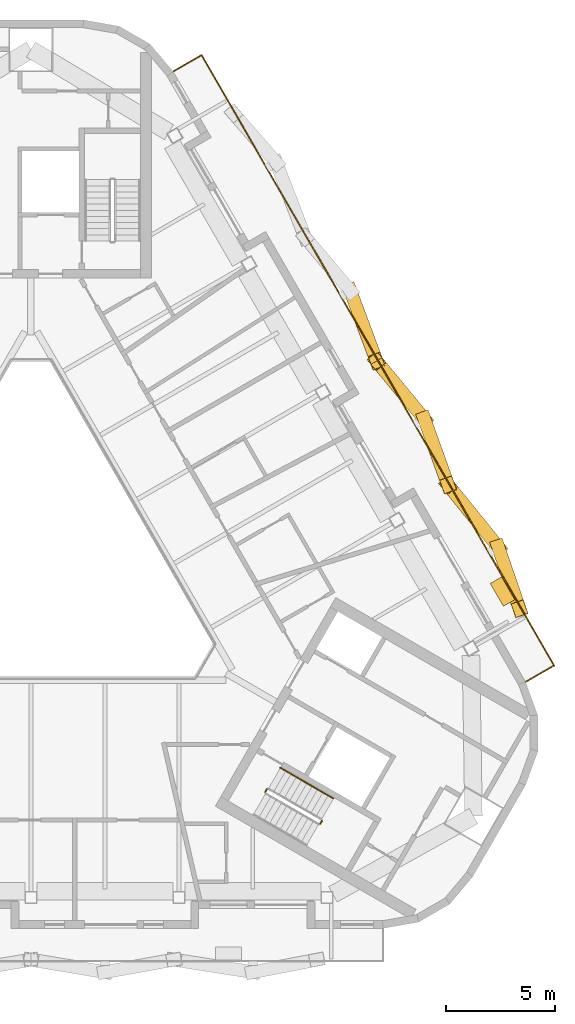
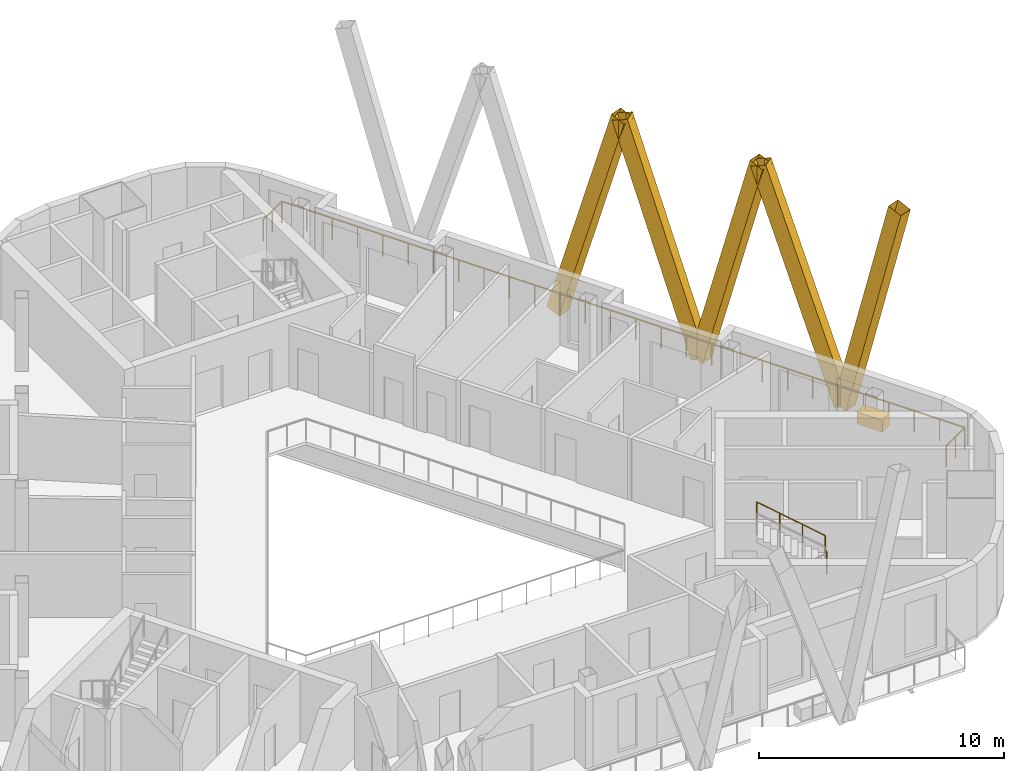
# One storey, part 11 of 12: 5 shading devices, 4 railings, 1 covering.
"""IFC4 building model written with IfcOpenShell, lengths in metres."""

from ifc_helpers import new_model, si_unit, direction, frame, origin, origin_2d, place, context, subcontext, project, spatial, rectangle, hollow_rectangle, circle, extrude, material, material_profile, profile_set, type_object, element, save


model = new_model("IFC4")

# Units and contexts
model_context = context("Model", 3, precision=1e-05, world=origin(), true_north=direction((0.0, 1.0)))
body_context = subcontext(model_context, "Body", "Model", "MODEL_VIEW")
ifc_project = project(units=[si_unit("LENGTHUNIT", "METRE"), si_unit("AREAUNIT", "SQUARE_METRE"), si_unit("VOLUMEUNIT", "CUBIC_METRE"), si_unit("PLANEANGLEUNIT", "RADIAN"), si_unit("MASSUNIT", "GRAM", prefix="KILO")], contexts=[model_context])

# Site, building, storey
site_placement = place(None, origin())
site = spatial("IfcSite", under=ifc_project, at=site_placement, CompositionType="ELEMENT")
building_placement = place(site_placement, origin())
building = spatial("IfcBuilding", under=site, at=building_placement, Name="Apuvela Tower Hotel", CompositionType="ELEMENT")
storey_placement = place(building_placement, frame((0.0, 0.0, 302.199951171875)))
storey = spatial("IfcBuildingStorey", under=building, at=storey_placement, Name="L75", CompositionType="ELEMENT", Elevation=302.199951171875)

# Railings
ifc_material_1 = material(Name="Steel S275 balustrade", Category="steel")
railing_type_1 = type_object("IfcRailingType", Name="COR-GUARD-1100", PredefinedType="GUARDRAIL", material=ifc_material_1)
for number, where, name in (
    (1, (13.212158203125, -12.015869140625, 1.85009765625), "L75 ST3 stair guard 2"),
    (2, (10.70068359375, -10.56591796875, 0.0), "L75 ST3 stair guard 4"),
):
    element("IfcRailing", number, at=place(storey_placement, frame(where)), inside=storey, type_object=railing_type_1, Name=name, PredefinedType="GUARDRAIL", context=body_context, shape_type="SweptSolid", body=[
        extrude(rectangle(XDim=0.048095703125, YDim=0.048095703125, at=origin_2d()), frame((0.0, 0.0, 1.076171875), z_axis=(0.499816412211, 0.866131372301, 0.0), x_axis=(-0.866131372301, 0.499816412211, 0.0)), (0.0, 0.0, 1.0), 0.14990234375),
        extrude(rectangle(XDim=0.0419921875, YDim=0.0419921875, at=origin_2d()), origin(), (0.0, 0.0, 1.0), 1.052001953125),
        extrude(rectangle(XDim=0.0419921875, YDim=0.0419921875, at=origin_2d()), frame((0.074951171875, 0.1298828125, 0.0)), (0.0, 0.0, 1.0), 1.052001953125),
    ])
ifc_material_2 = material(Name="Stainless steel 316 handrail", Category="steel")
railing_type_2 = type_object("IfcRailingType", Name="COR-HANDRAIL-900", PredefinedType="HANDRAIL", material=ifc_material_2)
railing_1_placement = place(storey_placement, frame((13.81884765625, -10.864990234375, 2.018310546875)))
element("IfcRailing", 3, at=railing_1_placement, inside=storey, type_object=railing_type_2, Name="L75 ST3 stair handrail 2", PredefinedType="HANDRAIL", context=body_context, shape_type="SweptSolid", body=[
    extrude(circle(Radius=0.02392578125, at=origin_2d()), frame((0.0, 0.0, 0.8759765625), z_axis=(-0.74241905619, 0.428617687091, 0.514879426), x_axis=(-0.49998411664, -0.866034573852, 0.0)), (0.0, 0.0, 1.0), 3.26611328125),
    extrude(rectangle(XDim=0.0419921875, YDim=0.0419921875, at=origin_2d()), origin(), (0.0, 0.0, 1.0), 0.851806640625),
    extrude(rectangle(XDim=0.0419921875, YDim=0.0419921875, at=origin_2d()), frame((-0.808349609375, 0.466552734375, 0.560546875)), (0.0, 0.0, 1.0), 0.851806640625),
    extrude(rectangle(XDim=0.0419921875, YDim=0.0419921875, at=origin_2d()), frame((-1.616455078125, 0.933349609375, 1.12109375)), (0.0, 0.0, 1.0), 0.851806640625),
    extrude(rectangle(XDim=0.0419921875, YDim=0.0419921875, at=origin_2d()), frame((-2.4248046875, 1.39990234375, 1.681640625)), (0.0, 0.0, 1.0), 0.851806640625),
])

# Shading devices
ifc_material_3 = material(Name="Aluminium 6063-T6, black anodised", Category="aluminium")
ifc_material_profile = material_profile(ifc_material_3, hollow_rectangle(XDim=0.60009765625, YDim=0.699951171875, WallThickness=0.011962890625, at=origin_2d()), Name="AL BOX 700x600x12")
ifc_profile_set = profile_set([ifc_material_profile], Name="Aluminium 6063-T6, black anodised")
shading_device_type = type_object("IfcShadingDeviceType", Name="ENV-FIN-700x600", PredefinedType="USERDEFINED", material=ifc_profile_set)
shading_device_1_placement = place(storey_placement, frame((21.345703125, 0.6171875, -0.099853515625), z_axis=(0.084444446708, -0.244942005167, 0.965853275361), x_axis=(0.945394763347, 0.32592750948, 0.0)))
element("IfcShadingDevice", 4, at=shading_device_1_placement, inside=storey, type_object=shading_device_type, Name="Lattice fin NE665", ObjectType="FIN", PredefinedType="USERDEFINED", context=body_context, shape_type="SweptSolid", body=[
    extrude(hollow_rectangle(XDim=0.60009765625, YDim=0.699951171875, WallThickness=0.011962890625, at=origin_2d()), origin(), (0.0, 0.0, 1.0), 11.4921875),
])
shading_device_2_placement = place(storey_placement, frame((21.345703125, 0.6171875, -0.099853515625), z_axis=(-0.196395762307, 0.243112881936, 0.949907801413), x_axis=(-0.777885876447, -0.628405572242, 0.0)))
element("IfcShadingDevice", 5, at=shading_device_2_placement, inside=storey, type_object=shading_device_type, Name="Lattice fin NE666", ObjectType="FIN", PredefinedType="USERDEFINED", context=body_context, shape_type="SweptSolid", body=[
    extrude(hollow_rectangle(XDim=0.60009765625, YDim=0.699951171875, WallThickness=0.011962890625, at=origin_2d()), origin(), (0.0, 0.0, 1.0), 11.685302734375),
])
shading_device_3_placement = place(storey_placement, frame((17.96630859375, 6.470703125, -0.099853515625), z_axis=(0.09387380237, -0.260784043505, 0.960822247808), x_axis=(0.940897131448, 0.338692468225, 0.0)))
element("IfcShadingDevice", 6, at=shading_device_3_placement, inside=storey, type_object=shading_device_type, Name="Lattice fin NE667", ObjectType="FIN", PredefinedType="USERDEFINED", context=body_context, shape_type="SweptSolid", body=[
    extrude(hollow_rectangle(XDim=0.60009765625, YDim=0.699951171875, WallThickness=0.011962890625, at=origin_2d()), origin(), (0.0, 0.0, 1.0), 11.552490234375),
])
for number, where, z_axis, x_axis, name in (
    (7, (17.96630859375, 6.470703125, -0.099853515625), (-0.187738220747, 0.227521994606, 0.955504109066), (-0.771319065559, -0.636448661799, 0.0), "Lattice fin NE668"),
    (8, (14.5869140625, 12.323974609375, -0.099853515625), (0.103168947098, -0.276343142267, 0.955505434875), (0.936840580907, 0.349756666794, 0.0), "Lattice fin NE669"),
):
    element("IfcShadingDevice", number, at=place(storey_placement, frame(where, z_axis=z_axis, x_axis=x_axis)), inside=storey, type_object=shading_device_type, Name=name, ObjectType="FIN", PredefinedType="USERDEFINED", context=body_context, shape_type="SweptSolid", body=[
        extrude(hollow_rectangle(XDim=0.60009765625, YDim=0.699951171875, WallThickness=0.011962890625, at=origin_2d()), origin(), (0.0, 0.0, 1.0), 11.61669921875),
    ])

# Railing
ifc_material_4 = material(Name="Stainless steel 316 rail with laminated glass infill", Category="steel")
railing_type_3 = type_object("IfcRailingType", Name="ENV-GUARD-1100", PredefinedType="GUARDRAIL", material=ifc_material_4)
railing_2_placement = place(storey_placement, frame((22.593505859375, -5.5439453125, 0.0)))
element("IfcRailing", 9, at=railing_2_placement, inside=storey, type_object=railing_type_3, Name="Balcony guard NE L75", PredefinedType="GUARDRAIL", context=body_context, shape_type="SweptSolid", body=[
    extrude(rectangle(XDim=0.050048828125, YDim=0.050048828125, at=origin_2d()), frame((0.0, 0.0, 1.0751953125), z_axis=(0.866031096941, 0.499990139034, 0.0), x_axis=(-0.499990139034, 0.866031096941, 0.0)), (0.0, 0.0, 1.0), 1.5),
    extrude(rectangle(XDim=0.050048828125, YDim=0.050048828125, at=origin_2d()), frame((1.299072265625, 0.75, 1.0751953125), z_axis=(-0.500003172353, 0.866023572218, 0.0), x_axis=(-0.866023572218, -0.500003172353, 0.0)), (0.0, 0.0, 1.0), 32.196044921875),
    extrude(rectangle(XDim=0.050048828125, YDim=0.050048828125, at=origin_2d()), frame((-14.799072265625, 28.632568359375, 1.0751953125), z_axis=(-0.86599040064, -0.500060622324, 0.0), x_axis=(0.500060622324, -0.86599040064, 0.0)), (0.0, 0.0, 1.0), 1.499755859375),
    extrude(rectangle(XDim=0.0400390625, YDim=0.0400390625, at=origin_2d()), origin(), (0.0, 0.0, 1.0), 1.050048828125),
    extrude(rectangle(XDim=0.0400390625, YDim=0.0400390625, at=origin_2d()), frame((0.6494140625, 0.375, 0.0)), (0.0, 0.0, 1.0), 1.050048828125),
    extrude(rectangle(XDim=0.0400390625, YDim=0.0400390625, at=origin_2d()), frame((1.299072265625, 0.75, 0.0)), (0.0, 0.0, 1.0), 1.050048828125),
    extrude(rectangle(XDim=0.0400390625, YDim=0.0400390625, at=origin_2d()), frame((0.702880859375, 1.78271484375, 0.0)), (0.0, 0.0, 1.0), 1.050048828125),
    extrude(rectangle(XDim=0.0400390625, YDim=0.0400390625, at=origin_2d()), frame((0.106689453125, 2.8154296875, 0.0)), (0.0, 0.0, 1.0), 1.050048828125),
    extrude(rectangle(XDim=0.0400390625, YDim=0.0400390625, at=origin_2d()), frame((-0.489501953125, 3.84814453125, 0.0)), (0.0, 0.0, 1.0), 1.050048828125),
    extrude(rectangle(XDim=0.0400390625, YDim=0.0400390625, at=origin_2d()), frame((-1.0859375, 4.880859375, 0.0)), (0.0, 0.0, 1.0), 1.050048828125),
    extrude(rectangle(XDim=0.0400390625, YDim=0.0400390625, at=origin_2d()), frame((-1.68212890625, 5.913330078125, 0.0)), (0.0, 0.0, 1.0), 1.050048828125),
    extrude(rectangle(XDim=0.0400390625, YDim=0.0400390625, at=origin_2d()), frame((-2.2783203125, 6.946044921875, 0.0)), (0.0, 0.0, 1.0), 1.050048828125),
    extrude(rectangle(XDim=0.0400390625, YDim=0.0400390625, at=origin_2d()), frame((-2.87451171875, 7.978759765625, 0.0)), (0.0, 0.0, 1.0), 1.050048828125),
    extrude(rectangle(XDim=0.0400390625, YDim=0.0400390625, at=origin_2d()), frame((-3.470703125, 9.011474609375, 0.0)), (0.0, 0.0, 1.0), 1.050048828125),
    extrude(rectangle(XDim=0.0400390625, YDim=0.0400390625, at=origin_2d()), frame((-4.06689453125, 10.044189453125, 0.0)), (0.0, 0.0, 1.0), 1.050048828125),
    extrude(rectangle(XDim=0.0400390625, YDim=0.0400390625, at=origin_2d()), frame((-4.6630859375, 11.076904296875, 0.0)), (0.0, 0.0, 1.0), 1.050048828125),
    extrude(rectangle(XDim=0.0400390625, YDim=0.0400390625, at=origin_2d()), frame((-5.259521484375, 12.109619140625, 0.0)), (0.0, 0.0, 1.0), 1.050048828125),
    extrude(rectangle(XDim=0.0400390625, YDim=0.0400390625, at=origin_2d()), frame((-5.855712890625, 13.142333984375, 0.0)), (0.0, 0.0, 1.0), 1.050048828125),
    extrude(rectangle(XDim=0.0400390625, YDim=0.0400390625, at=origin_2d()), frame((-6.451904296875, 14.175048828125, 0.0)), (0.0, 0.0, 1.0), 1.050048828125),
    extrude(rectangle(XDim=0.0400390625, YDim=0.0400390625, at=origin_2d()), frame((-7.048095703125, 15.20751953125, 0.0)), (0.0, 0.0, 1.0), 1.050048828125),
    extrude(rectangle(XDim=0.0400390625, YDim=0.0400390625, at=origin_2d()), frame((-7.644287109375, 16.240234375, 0.0)), (0.0, 0.0, 1.0), 1.050048828125),
    extrude(rectangle(XDim=0.0400390625, YDim=0.0400390625, at=origin_2d()), frame((-8.240478515625, 17.27294921875, 0.0)), (0.0, 0.0, 1.0), 1.050048828125),
    extrude(rectangle(XDim=0.0400390625, YDim=0.0400390625, at=origin_2d()), frame((-8.8369140625, 18.3056640625, 0.0)), (0.0, 0.0, 1.0), 1.050048828125),
    extrude(rectangle(XDim=0.0400390625, YDim=0.0400390625, at=origin_2d()), frame((-9.43310546875, 19.33837890625, 0.0)), (0.0, 0.0, 1.0), 1.050048828125),
    extrude(rectangle(XDim=0.0400390625, YDim=0.0400390625, at=origin_2d()), frame((-10.029296875, 20.37109375, 0.0)), (0.0, 0.0, 1.0), 1.050048828125),
    extrude(rectangle(XDim=0.0400390625, YDim=0.0400390625, at=origin_2d()), frame((-10.62548828125, 21.40380859375, 0.0)), (0.0, 0.0, 1.0), 1.050048828125),
    extrude(rectangle(XDim=0.0400390625, YDim=0.0400390625, at=origin_2d()), frame((-11.2216796875, 22.4365234375, 0.0)), (0.0, 0.0, 1.0), 1.050048828125),
    extrude(rectangle(XDim=0.0400390625, YDim=0.0400390625, at=origin_2d()), frame((-11.81787109375, 23.46923828125, 0.0)), (0.0, 0.0, 1.0), 1.050048828125),
    extrude(rectangle(XDim=0.0400390625, YDim=0.0400390625, at=origin_2d()), frame((-12.4140625, 24.501708984375, 0.0)), (0.0, 0.0, 1.0), 1.050048828125),
    extrude(rectangle(XDim=0.0400390625, YDim=0.0400390625, at=origin_2d()), frame((-13.010498046875, 25.534423828125, 0.0)), (0.0, 0.0, 1.0), 1.050048828125),
    extrude(rectangle(XDim=0.0400390625, YDim=0.0400390625, at=origin_2d()), frame((-13.606689453125, 26.567138671875, 0.0)), (0.0, 0.0, 1.0), 1.050048828125),
    extrude(rectangle(XDim=0.0400390625, YDim=0.0400390625, at=origin_2d()), frame((-14.202880859375, 27.599853515625, 0.0)), (0.0, 0.0, 1.0), 1.050048828125),
    extrude(rectangle(XDim=0.0400390625, YDim=0.0400390625, at=origin_2d()), frame((-14.799072265625, 28.632568359375, 0.0)), (0.0, 0.0, 1.0), 1.050048828125),
    extrude(rectangle(XDim=0.0400390625, YDim=0.0400390625, at=origin_2d()), frame((-15.448486328125, 28.257568359375, 0.0)), (0.0, 0.0, 1.0), 1.050048828125),
    extrude(rectangle(XDim=0.0400390625, YDim=0.0400390625, at=origin_2d()), frame((-16.097900390625, 27.882568359375, 0.0)), (0.0, 0.0, 1.0), 1.050048828125),
])

# Covering
ifc_material_5 = material(Name="Planting substrate and soil, planted")
covering_type = type_object("IfcCoveringType", Name="ENV-PLANTER-1200x600", PredefinedType="USERDEFINED", material=ifc_material_5)
covering_placement = place(storey_placement, frame((21.536865234375, -1.413818359375, 0.0), z_axis=(0.0, 0.0, 1.0), x_axis=(-0.5, 0.866025403784, 0.0)))
element("IfcCovering", 10, at=covering_placement, inside=storey, type_object=covering_type, Name="Planter NE3", ObjectType="PLANTER", PredefinedType="USERDEFINED", context=body_context, shape_type="SweptSolid", body=[
    extrude(rectangle(XDim=1.199951171875, YDim=0.60009765625, at=origin_2d()), origin(), (0.0, 0.0, 1.0), 0.60009765625),
])

save(model, "model.ifc")
